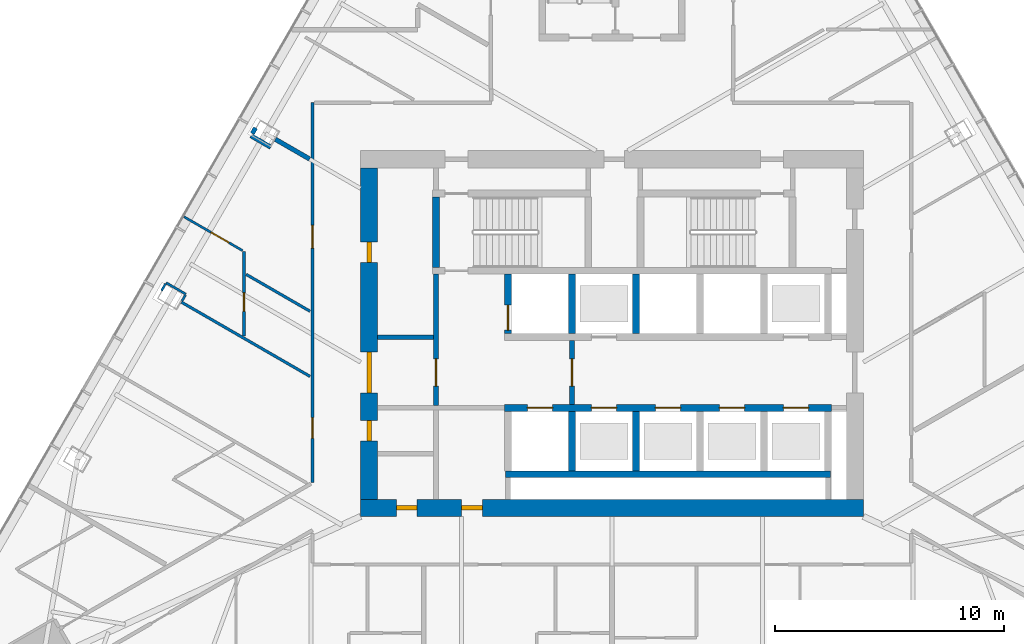
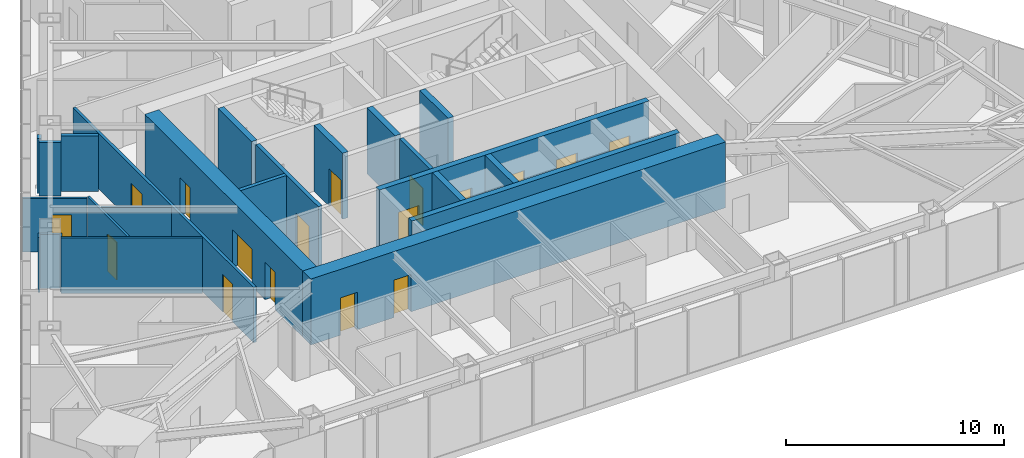
# One storey, part 11 of 16: 24 walls, 17 doors, 17 openings.
"""IFC4 building model written with IfcOpenShell, lengths in metres."""

from ifc_helpers import new_model, si_unit, direction, frame, frame_2d, origin, place, context, subcontext, project, spatial, rectangle, extrude, material, layer, layer_set, type_object, element, fill, save


model = new_model("IFC4")

# Units and contexts
model_context = context("Model", 3, precision=1e-05, world=origin(), true_north=direction((0.0, 1.0)))
body_context = subcontext(model_context, "Body", "Model", "MODEL_VIEW")
ifc_project = project(units=[si_unit("LENGTHUNIT", "METRE"), si_unit("AREAUNIT", "SQUARE_METRE"), si_unit("VOLUMEUNIT", "CUBIC_METRE"), si_unit("PLANEANGLEUNIT", "RADIAN"), si_unit("MASSUNIT", "GRAM", prefix="KILO")], contexts=[model_context])

# Site, building, storey
site_placement = place(None, origin())
site = spatial("IfcSite", under=ifc_project, at=site_placement, CompositionType="ELEMENT")
building_placement = place(site_placement, origin())
building = spatial("IfcBuilding", under=site, at=building_placement, Name="Firuza Gate Tower and Library", CompositionType="ELEMENT")
storey_placement = place(building_placement, frame((0.0, 0.0, 229.89990234375)))
storey = spatial("IfcBuildingStorey", under=building, at=storey_placement, Name="L54", CompositionType="ELEMENT", Elevation=229.89990234375)

# Wall
ifc_material_1 = material(Name="Plasterboard on steel studs", Category="steel")
ifc_layer_1 = layer(ifc_material_1, 0.199951171875)
ifc_layer_set_1 = layer_set([ifc_layer_1], Name="Core partition 200 EI 120")
wall_type_1 = type_object("IfcWallType", Name="Core partition 200 EI 120", PredefinedType="PARTITIONING", material=ifc_layer_set_1)
wall_1_placement = place(storey_placement, frame((64.75, 74.85009765625, 0.0), z_axis=(0.0, 0.0, 1.0), x_axis=(1.0, 0.0, 0.0)))
element("IfcWall", 1, at=wall_1_placement, inside=storey, type_object=wall_type_1, Name="Core partition L54 4", PredefinedType="PARTITIONING", context=body_context, shape_type="SweptSolid", body=[
    extrude(rectangle(XDim=2.449951171875, YDim=0.199951171875, at=frame_2d((1.22509765625, 0.0))), origin(), (0.0, 0.0, 1.0), 3.7001953125),
])

# Wall, opening, door
wall_2_placement = place(storey_placement, frame((67.300048828125, 71.85009765625, 0.0), z_axis=(0.0, 0.0, 1.0), x_axis=(0.0, 1.0, 0.0)))
wall_2 = element("IfcWall", 2, at=wall_2_placement, inside=storey, type_object=wall_type_1, Name="Core partition L54 8", PredefinedType="PARTITIONING", context=body_context, shape_type="SweptSolid", body=[
    extrude(rectangle(XDim=5.75, YDim=0.199951171875, at=frame_2d((2.875, 0.0))), origin(), (0.0, 0.0, 1.0), 3.7001953125),
])
opening_1_placement = place(wall_2_placement, frame((0.85009765625, 0.0, 0.0)))
opening_1 = element("IfcOpeningElement", 3, at=opening_1_placement, cuts=wall_2, Name="Opening L54-K19", PredefinedType="OPENING", context=body_context, shape_type="SweptSolid", body=[
    extrude(rectangle(XDim=1.199951171875, YDim=2.10009765625, at=frame_2d((0.60009765625, 1.050048828125))), frame((0.0, 0.10986328125, 0.0), z_axis=(0.0, -1.0, 0.0), x_axis=(1.0, 0.0, 0.0)), (0.0, 0.0, 1.0), 0.219970703125),
])
ifc_material_2 = material(Name="Steel", Category="steel")
door_type_1 = type_object("IfcDoorType", Name="Fire door 1200x2100 FD90S", OperationType="NOTDEFINED", PredefinedType="DOOR", material=ifc_material_2)
door_1_placement = place(opening_1_placement, origin())
door_1 = element("IfcDoor", 4, at=door_1_placement, inside=storey, type_object=door_type_1, Name="Door L54-K19", OperationType="SINGLE_SWING_RIGHT", OverallHeight=2.10009765625, OverallWidth=1.199951171875, PredefinedType="DOOR", context=body_context, shape_type="SweptSolid", body=[
    extrude(rectangle(XDim=1.199951171875, YDim=2.10009765625, at=frame_2d((0.60009765625, 1.050048828125))), frame((0.0, 0.02490234375, 0.0), z_axis=(0.0, -1.0, 0.0), x_axis=(1.0, 0.0, 0.0)), (0.0, 0.0, 1.0), 0.050048828125),
])
fill(opening_1, door_1)

ifc_material_3 = material(Name="Plasterboard on steel studs", Category="steel")
ifc_layer_2 = layer(ifc_material_3, 0.199951171875)
ifc_layer_set_2 = layer_set([ifc_layer_2], Name="Core partition 200 EI 60")
wall_type_2 = type_object("IfcWallType", Name="Core partition 200 EI 60", PredefinedType="PARTITIONING", material=ifc_layer_set_2)
wall_3_placement = place(storey_placement, frame((73.25, 71.89990234375, 0.0), z_axis=(0.0, 0.0, 1.0), x_axis=(0.0, 1.0, 0.0)))
wall_3 = element("IfcWall", 5, at=wall_3_placement, inside=storey, type_object=wall_type_2, Name="Core partition L54 11", PredefinedType="PARTITIONING", context=body_context, shape_type="SweptSolid", body=[
    extrude(rectangle(XDim=2.800048828125, YDim=0.199951171875, at=frame_2d((1.39990234375, 0.0))), origin(), (0.0, 0.0, 1.0), 3.7001953125),
])
opening_2_placement = place(wall_3_placement, frame((0.800048828125, 0.0, 0.0)))
opening_2 = element("IfcOpeningElement", 6, at=opening_2_placement, cuts=wall_3, Name="Opening L54-K18", PredefinedType="OPENING", context=body_context, shape_type="SweptSolid", body=[
    extrude(rectangle(XDim=1.199951171875, YDim=2.10009765625, at=frame_2d((0.60009765625, 1.050048828125))), frame((0.0, 0.10986328125, 0.0), z_axis=(0.0, -1.0, 0.0), x_axis=(1.0, 0.0, 0.0)), (0.0, 0.0, 1.0), 0.219970703125),
])
door_2_placement = place(opening_2_placement, origin())
door_2 = element("IfcDoor", 7, at=door_2_placement, inside=storey, type_object=door_type_1, Name="Door L54-K18", OperationType="SINGLE_SWING_LEFT", OverallHeight=2.10009765625, OverallWidth=1.199951171875, PredefinedType="DOOR", context=body_context, shape_type="SweptSolid", body=[
    extrude(rectangle(XDim=1.199951171875, YDim=2.10009765625, at=frame_2d((0.60009765625, 1.050048828125))), frame((0.0, 0.02490234375, 0.0), z_axis=(0.0, -1.0, 0.0), x_axis=(1.0, 0.0, 0.0)), (0.0, 0.0, 1.0), 0.050048828125),
])
fill(opening_2, door_2)

# Wall
ifc_material_4 = material(Name="Concrete C80/95", Category="concrete")
ifc_layer_3 = layer(ifc_material_4, 0.300048828125)
ifc_layer_set_3 = layer_set([ifc_layer_3], Name="Core wall 300 C80/95")
wall_type_3 = type_object("IfcWallType", Name="Core wall 300 C80/95", PredefinedType="SHEAR", material=ifc_layer_set_3)
wall_4_placement = place(storey_placement, frame((70.35009765625, 68.85009765625, 0.0), z_axis=(0.0, 0.0, 1.0), x_axis=(1.0, 0.0, 0.0)))
element("IfcWall", 8, at=wall_4_placement, inside=storey, type_object=wall_type_3, Name="Core wall L54 5", PredefinedType="SHEAR", context=body_context, shape_type="SweptSolid", body=[
    extrude(rectangle(XDim=14.199951171875, YDim=0.300048828125, at=frame_2d((7.10009765625, 0.0))), origin(), (0.0, 0.0, 1.0), 3.7001953125),
])

# Wall, openings, doors
wall_5_placement = place(storey_placement, frame((70.300048828125, 71.75, 0.0), z_axis=(0.0, 0.0, 1.0), x_axis=(1.0, 0.0, 0.0)))
wall_5 = element("IfcWall", 9, at=wall_5_placement, inside=storey, type_object=wall_type_3, Name="Core wall L54 6", PredefinedType="SHEAR", context=body_context, shape_type="SweptSolid", body=[
    extrude(rectangle(XDim=14.300048828125, YDim=0.300048828125, at=frame_2d((7.14990234375, 0.0))), origin(), (0.0, 0.0, 1.0), 3.7001953125),
])
opening_3_placement = place(wall_5_placement, frame((1.0, 0.0, 0.0)))
opening_3 = element("IfcOpeningElement", 10, at=opening_3_placement, cuts=wall_5, Name="Opening LD-FF1-L54", PredefinedType="OPENING", context=body_context, shape_type="SweptSolid", body=[
    extrude(rectangle(XDim=1.10009765625, YDim=2.10009765625, at=frame_2d((0.550048828125, 1.050048828125))), frame((0.0, 0.16015625, 0.0), z_axis=(0.0, -1.0, 0.0), x_axis=(1.0, 0.0, 0.0)), (0.0, 0.0, 1.0), 0.320068359375),
])
opening_4_placement = place(wall_5_placement, frame((3.800048828125, 0.0, 0.0)))
opening_4 = element("IfcOpeningElement", 11, at=opening_4_placement, cuts=wall_5, Name="Opening LD-MR1-L54", PredefinedType="OPENING", context=body_context, shape_type="SweptSolid", body=[
    extrude(rectangle(XDim=1.10009765625, YDim=2.10009765625, at=frame_2d((0.550048828125, 1.050048828125))), frame((0.0, 0.16015625, 0.0), z_axis=(0.0, -1.0, 0.0), x_axis=(1.0, 0.0, 0.0)), (0.0, 0.0, 1.0), 0.320068359375),
])
opening_5_placement = place(wall_5_placement, frame((6.60009765625, 0.0, 0.0)))
opening_5 = element("IfcOpeningElement", 12, at=opening_5_placement, cuts=wall_5, Name="Opening LD-MR2-L54", PredefinedType="OPENING", context=body_context, shape_type="SweptSolid", body=[
    extrude(rectangle(XDim=1.10009765625, YDim=2.10009765625, at=frame_2d((0.550048828125, 1.050048828125))), frame((0.0, 0.16015625, 0.0), z_axis=(0.0, -1.0, 0.0), x_axis=(1.0, 0.0, 0.0)), (0.0, 0.0, 1.0), 0.320068359375),
])
opening_6_placement = place(wall_5_placement, frame((9.39990234375, 0.0, 0.0)))
opening_6 = element("IfcOpeningElement", 13, at=opening_6_placement, cuts=wall_5, Name="Opening LD-MR3-L54", PredefinedType="OPENING", context=body_context, shape_type="SweptSolid", body=[
    extrude(rectangle(XDim=1.10009765625, YDim=2.10009765625, at=frame_2d((0.550048828125, 1.050048828125))), frame((0.0, 0.16015625, 0.0), z_axis=(0.0, -1.0, 0.0), x_axis=(1.0, 0.0, 0.0)), (0.0, 0.0, 1.0), 0.320068359375),
])
opening_7_placement = place(wall_5_placement, frame((12.199951171875, 0.0, 0.0)))
opening_7 = element("IfcOpeningElement", 14, at=opening_7_placement, cuts=wall_5, Name="Opening LD-MR5-L54", PredefinedType="OPENING", context=body_context, shape_type="SweptSolid", body=[
    extrude(rectangle(XDim=1.10009765625, YDim=2.10009765625, at=frame_2d((0.550048828125, 1.050048828125))), frame((0.0, 0.16015625, 0.0), z_axis=(0.0, -1.0, 0.0), x_axis=(1.0, 0.0, 0.0)), (0.0, 0.0, 1.0), 0.320068359375),
])
ifc_material_5 = material(Name="Stainless steel", Category="steel")
door_type_2 = type_object("IfcDoorType", Name="Lift landing door 1100x2100", OperationType="DOUBLE_DOOR_SLIDING", PredefinedType="DOOR", material=ifc_material_5)
door_3_placement = place(opening_3_placement, origin())
door_3 = element("IfcDoor", 15, at=door_3_placement, inside=storey, type_object=door_type_2, Name="Landing door FF1 L54", OperationType="DOUBLE_DOOR_SLIDING", OverallHeight=2.10009765625, OverallWidth=1.10009765625, PredefinedType="DOOR", context=body_context, shape_type="SweptSolid", body=[
    extrude(rectangle(XDim=1.10009765625, YDim=2.10009765625, at=frame_2d((0.550048828125, 1.050048828125))), frame((0.0, 0.02490234375, 0.0), z_axis=(0.0, -1.0, 0.0), x_axis=(1.0, 0.0, 0.0)), (0.0, 0.0, 1.0), 0.050048828125),
])
fill(opening_3, door_3)
door_4_placement = place(opening_4_placement, origin())
door_4 = element("IfcDoor", 16, at=door_4_placement, inside=storey, type_object=door_type_2, Name="Landing door MR1 L54", OperationType="DOUBLE_DOOR_SLIDING", OverallHeight=2.10009765625, OverallWidth=1.10009765625, PredefinedType="DOOR", context=body_context, shape_type="SweptSolid", body=[
    extrude(rectangle(XDim=1.10009765625, YDim=2.10009765625, at=frame_2d((0.550048828125, 1.050048828125))), frame((0.0, 0.02490234375, 0.0), z_axis=(0.0, -1.0, 0.0), x_axis=(1.0, 0.0, 0.0)), (0.0, 0.0, 1.0), 0.050048828125),
])
fill(opening_4, door_4)
door_5_placement = place(opening_5_placement, origin())
door_5 = element("IfcDoor", 17, at=door_5_placement, inside=storey, type_object=door_type_2, Name="Landing door MR2 L54", OperationType="DOUBLE_DOOR_SLIDING", OverallHeight=2.10009765625, OverallWidth=1.10009765625, PredefinedType="DOOR", context=body_context, shape_type="SweptSolid", body=[
    extrude(rectangle(XDim=1.10009765625, YDim=2.10009765625, at=frame_2d((0.550048828125, 1.050048828125))), frame((0.0, 0.02490234375, 0.0), z_axis=(0.0, -1.0, 0.0), x_axis=(1.0, 0.0, 0.0)), (0.0, 0.0, 1.0), 0.050048828125),
])
fill(opening_5, door_5)
door_6_placement = place(opening_6_placement, origin())
door_6 = element("IfcDoor", 18, at=door_6_placement, inside=storey, type_object=door_type_2, Name="Landing door MR3 L54", OperationType="DOUBLE_DOOR_SLIDING", OverallHeight=2.10009765625, OverallWidth=1.10009765625, PredefinedType="DOOR", context=body_context, shape_type="SweptSolid", body=[
    extrude(rectangle(XDim=1.10009765625, YDim=2.10009765625, at=frame_2d((0.550048828125, 1.050048828125))), frame((0.0, 0.02490234375, 0.0), z_axis=(0.0, -1.0, 0.0), x_axis=(1.0, 0.0, 0.0)), (0.0, 0.0, 1.0), 0.050048828125),
])
fill(opening_6, door_6)
door_7_placement = place(opening_7_placement, origin())
door_7 = element("IfcDoor", 19, at=door_7_placement, inside=storey, type_object=door_type_2, Name="Landing door MR5 L54", OperationType="DOUBLE_DOOR_SLIDING", OverallHeight=2.10009765625, OverallWidth=1.10009765625, PredefinedType="DOOR", context=body_context, shape_type="SweptSolid", body=[
    extrude(rectangle(XDim=1.10009765625, YDim=2.10009765625, at=frame_2d((0.550048828125, 1.050048828125))), frame((0.0, 0.02490234375, 0.0), z_axis=(0.0, -1.0, 0.0), x_axis=(1.0, 0.0, 0.0)), (0.0, 0.0, 1.0), 0.050048828125),
])
fill(opening_7, door_7)

# Wall, opening, door
wall_6_placement = place(storey_placement, frame((70.449951171875, 75.0, 0.0), z_axis=(0.0, 0.0, 1.0), x_axis=(0.0, 1.0, 0.0)))
wall_6 = element("IfcWall", 20, at=wall_6_placement, inside=storey, type_object=wall_type_3, Name="Core wall L54 9", PredefinedType="SHEAR", context=body_context, shape_type="SweptSolid", body=[
    extrude(rectangle(XDim=2.60009765625, YDim=0.300048828125, at=frame_2d((1.300048828125, 0.0))), origin(), (0.0, 0.0, 1.0), 3.7001953125),
])
opening_8_placement = place(wall_6_placement, frame((0.14990234375, 0.0, 0.0)))
opening_8 = element("IfcOpeningElement", 21, at=opening_8_placement, cuts=wall_6, Name="Opening LD-FF2-L54", PredefinedType="OPENING", context=body_context, shape_type="SweptSolid", body=[
    extrude(rectangle(XDim=1.10009765625, YDim=2.10009765625, at=frame_2d((0.550048828125, 1.050048828125))), frame((0.0, 0.16015625, 0.0), z_axis=(0.0, -1.0, 0.0), x_axis=(1.0, 0.0, 0.0)), (0.0, 0.0, 1.0), 0.320068359375),
])
door_8_placement = place(opening_8_placement, origin())
door_8 = element("IfcDoor", 22, at=door_8_placement, inside=storey, type_object=door_type_2, Name="Landing door FF2 L54", OperationType="DOUBLE_DOOR_SLIDING", OverallHeight=2.10009765625, OverallWidth=1.10009765625, PredefinedType="DOOR", context=body_context, shape_type="SweptSolid", body=[
    extrude(rectangle(XDim=1.10009765625, YDim=2.10009765625, at=frame_2d((0.550048828125, 1.050048828125))), frame((0.0, 0.02490234375, 0.0), z_axis=(0.0, -1.0, 0.0), x_axis=(1.0, 0.0, 0.0)), (0.0, 0.0, 1.0), 0.050048828125),
])
fill(opening_8, door_8)

# Walls
for number, where, z_axis, x_axis, name in (
    (23, (73.25, 69.0, 0.0), (0.0, 0.0, 1.0), (0.0, 1.0, 0.0), "Core wall L54 10"),
    (24, (73.25, 75.0, 0.0), (0.0, 0.0, 1.0), (0.0, 1.0, 0.0), "Core wall L54 11"),
    (25, (76.050048828125, 69.0, 0.0), (0.0, 0.0, 1.0), (0.0, 1.0, 0.0), "Core wall L54 12"),
    (26, (76.050048828125, 75.0, 0.0), (0.0, 0.0, 1.0), (0.0, 1.0, 0.0), "Core wall L54 13"),
):
    element("IfcWall", number, at=place(storey_placement, frame(where, z_axis=z_axis, x_axis=x_axis)), inside=storey, type_object=wall_type_3, Name=name, PredefinedType="SHEAR", context=body_context, shape_type="SweptSolid", body=[
        extrude(rectangle(XDim=2.60009765625, YDim=0.300048828125, at=frame_2d((1.300048828125, 0.0))), origin(), (0.0, 0.0, 1.0), 3.7001953125),
    ])
wall_7_placement = place(storey_placement, frame((67.300048828125, 77.89990234375, 0.0), z_axis=(0.0, 0.0, 1.0), x_axis=(0.0, 1.0, 0.0)))
element("IfcWall", 27, at=wall_7_placement, inside=storey, type_object=wall_type_3, Name="Core wall L54 23", PredefinedType="SHEAR", context=body_context, shape_type="SweptSolid", body=[
    extrude(rectangle(XDim=3.080078125, YDim=0.300048828125, at=frame_2d((1.5400390625, 0.0))), origin(), (0.0, 0.0, 1.0), 3.7001953125),
])

# Wall, openings, doors
ifc_material_6 = material(Name="Concrete C80/95", Category="concrete")
ifc_layer_4 = layer(ifc_material_6, 0.75)
ifc_layer_set_4 = layer_set([ifc_layer_4], Name="Core wall 750 C80/95")
wall_type_4 = type_object("IfcWallType", Name="Core wall 750 C80/95", PredefinedType="SHEAR", material=ifc_layer_set_4)
wall_8_placement = place(storey_placement, frame((64.0, 67.375, 0.0), z_axis=(0.0, 0.0, 1.0), x_axis=(1.0, 0.0, 0.0)))
wall_8 = element("IfcWall", 28, at=wall_8_placement, inside=storey, type_object=wall_type_4, Name="Core wall L54 1", PredefinedType="SHEAR", context=body_context, shape_type="SweptSolid", body=[
    extrude(rectangle(XDim=22.0, YDim=0.75, at=frame_2d((11.0, 0.0))), origin(), (0.0, 0.0, 1.0), 3.7001953125),
])
opening_9_placement = place(wall_8_placement, frame((1.574951171875, 0.0, 0.0)))
opening_9 = element("IfcOpeningElement", 29, at=opening_9_placement, cuts=wall_8, Name="Opening L54-K22", PredefinedType="OPENING", context=body_context, shape_type="SweptSolid", body=[
    extrude(rectangle(XDim=0.89990234375, YDim=2.10009765625, at=frame_2d((0.449951171875, 1.050048828125))), frame((0.0, 0.385009765625, 0.0), z_axis=(0.0, -1.0, 0.0), x_axis=(1.0, 0.0, 0.0)), (0.0, 0.0, 1.0), 0.77001953125),
])
opening_10_placement = place(wall_8_placement, frame((4.425048828125, 0.0, 0.0)))
opening_10 = element("IfcOpeningElement", 30, at=opening_10_placement, cuts=wall_8, Name="Opening L54-K24", PredefinedType="OPENING", context=body_context, shape_type="SweptSolid", body=[
    extrude(rectangle(XDim=0.89990234375, YDim=2.10009765625, at=frame_2d((0.449951171875, 1.050048828125))), frame((0.0, 0.385009765625, 0.0), z_axis=(0.0, -1.0, 0.0), x_axis=(1.0, 0.0, 0.0)), (0.0, 0.0, 1.0), 0.77001953125),
])
ifc_material_7 = material(Name="Steel", Category="steel")
door_type_3 = type_object("IfcDoorType", Name="Fire door 900x2100 FD30S", OperationType="NOTDEFINED", PredefinedType="DOOR", material=ifc_material_7)
door_9_placement = place(opening_9_placement, origin())
door_9 = element("IfcDoor", 31, at=door_9_placement, inside=storey, type_object=door_type_3, Name="Door L54-K22", OperationType="SINGLE_SWING_LEFT", OverallHeight=2.10009765625, OverallWidth=0.89990234375, PredefinedType="DOOR", context=body_context, shape_type="SweptSolid", body=[
    extrude(rectangle(XDim=0.89990234375, YDim=2.10009765625, at=frame_2d((0.449951171875, 1.050048828125))), frame((0.0, 0.094970703125, 0.0), z_axis=(0.0, -1.0, 0.0), x_axis=(1.0, 0.0, 0.0)), (0.0, 0.0, 1.0), 0.18994140625),
])
fill(opening_9, door_9)
door_10_placement = place(opening_10_placement, origin())
door_10 = element("IfcDoor", 32, at=door_10_placement, inside=storey, type_object=door_type_3, Name="Door L54-K24", OperationType="SINGLE_SWING_LEFT", OverallHeight=2.10009765625, OverallWidth=0.89990234375, PredefinedType="DOOR", context=body_context, shape_type="SweptSolid", body=[
    extrude(rectangle(XDim=0.89990234375, YDim=2.10009765625, at=frame_2d((0.449951171875, 1.050048828125))), frame((0.0, 0.094970703125, 0.0), z_axis=(0.0, -1.0, 0.0), x_axis=(1.0, 0.0, 0.0)), (0.0, 0.0, 1.0), 0.18994140625),
])
fill(opening_10, door_10)

wall_9_placement = place(storey_placement, frame((64.375, 67.75, 0.0), z_axis=(0.0, 0.0, 1.0), x_axis=(0.0, 1.0, 0.0)))
wall_9 = element("IfcWall", 33, at=wall_9_placement, inside=storey, type_object=wall_type_4, Name="Core wall L54 3", PredefinedType="SHEAR", context=body_context, shape_type="SweptSolid", body=[
    extrude(rectangle(XDim=14.5, YDim=0.75, at=frame_2d((7.25, 0.0))), origin(), (0.0, 0.0, 1.0), 3.7001953125),
])
opening_11_placement = place(wall_9_placement, frame((4.64990234375, 0.0, 0.0)))
opening_11 = element("IfcOpeningElement", 34, at=opening_11_placement, cuts=wall_9, Name="Opening L54-K20", PredefinedType="OPENING", context=body_context, shape_type="SweptSolid", body=[
    extrude(rectangle(XDim=1.800048828125, YDim=2.10009765625, at=frame_2d((0.89990234375, 1.050048828125))), frame((0.0, 0.385009765625, 0.0), z_axis=(0.0, -1.0, 0.0), x_axis=(1.0, 0.0, 0.0)), (0.0, 0.0, 1.0), 0.77001953125),
])
opening_12_placement = place(wall_9_placement, frame((2.550048828125, 0.0, 0.0)))
opening_12 = element("IfcOpeningElement", 35, at=opening_12_placement, cuts=wall_9, Name="Opening L54-K23", PredefinedType="OPENING", context=body_context, shape_type="SweptSolid", body=[
    extrude(rectangle(XDim=0.89990234375, YDim=2.10009765625, at=frame_2d((0.449951171875, 1.050048828125))), frame((0.0, 0.385009765625, 0.0), z_axis=(0.0, -1.0, 0.0), x_axis=(1.0, 0.0, 0.0)), (0.0, 0.0, 1.0), 0.77001953125),
])
opening_13_placement = place(wall_9_placement, frame((10.35009765625, 0.0, 0.0)))
opening_13 = element("IfcOpeningElement", 36, at=opening_13_placement, cuts=wall_9, Name="Opening L54-K25", PredefinedType="OPENING", context=body_context, shape_type="SweptSolid", body=[
    extrude(rectangle(XDim=0.89990234375, YDim=2.10009765625, at=frame_2d((0.449951171875, 1.050048828125))), frame((0.0, 0.385009765625, 0.0), z_axis=(0.0, -1.0, 0.0), x_axis=(1.0, 0.0, 0.0)), (0.0, 0.0, 1.0), 0.77001953125),
])
ifc_material_8 = material(Name="Steel", Category="steel")
door_type_4 = type_object("IfcDoorType", Name="Fire door 1800x2100 FD30S", OperationType="NOTDEFINED", PredefinedType="DOOR", material=ifc_material_8)
door_11_placement = place(opening_11_placement, origin())
door_11 = element("IfcDoor", 37, at=door_11_placement, inside=storey, type_object=door_type_4, Name="Door L54-K20", OperationType="SINGLE_SWING_LEFT", OverallHeight=2.10009765625, OverallWidth=1.800048828125, PredefinedType="DOOR", context=body_context, shape_type="SweptSolid", body=[
    extrude(rectangle(XDim=1.800048828125, YDim=2.10009765625, at=frame_2d((0.89990234375, 1.050048828125))), frame((0.0, 0.094970703125, 0.0), z_axis=(0.0, -1.0, 0.0), x_axis=(1.0, 0.0, 0.0)), (0.0, 0.0, 1.0), 0.18994140625),
])
fill(opening_11, door_11)
door_12_placement = place(opening_12_placement, origin())
door_12 = element("IfcDoor", 38, at=door_12_placement, inside=storey, type_object=door_type_3, Name="Door L54-K23", OperationType="SINGLE_SWING_RIGHT", OverallHeight=2.10009765625, OverallWidth=0.89990234375, PredefinedType="DOOR", context=body_context, shape_type="SweptSolid", body=[
    extrude(rectangle(XDim=0.89990234375, YDim=2.10009765625, at=frame_2d((0.449951171875, 1.050048828125))), frame((0.0, 0.094970703125, 0.0), z_axis=(0.0, -1.0, 0.0), x_axis=(1.0, 0.0, 0.0)), (0.0, 0.0, 1.0), 0.18994140625),
])
fill(opening_12, door_12)
door_13_placement = place(opening_13_placement, origin())
door_13 = element("IfcDoor", 39, at=door_13_placement, inside=storey, type_object=door_type_3, Name="Door L54-K25", OperationType="SINGLE_SWING_RIGHT", OverallHeight=2.10009765625, OverallWidth=0.89990234375, PredefinedType="DOOR", context=body_context, shape_type="SweptSolid", body=[
    extrude(rectangle(XDim=0.89990234375, YDim=2.10009765625, at=frame_2d((0.449951171875, 1.050048828125))), frame((0.0, 0.094970703125, 0.0), z_axis=(0.0, -1.0, 0.0), x_axis=(1.0, 0.0, 0.0)), (0.0, 0.0, 1.0), 0.18994140625),
])
fill(opening_13, door_13)

ifc_material_9 = material(Name="Gypsum board partition")
ifc_layer_5 = layer(ifc_material_9, 0.14990234375)
ifc_layer_set_5 = layer_set([ifc_layer_5], Name="Corridor wall 150 double board on steel studs")
wall_type_5 = type_object("IfcWallType", Name="Corridor wall 150 double board on steel studs", PredefinedType="PARTITIONING", material=ifc_layer_set_5)
wall_10_placement = place(storey_placement, frame((61.89990234375, 68.47607421875, 0.0), z_axis=(0.0, 0.0, 1.0), x_axis=(0.0, 1.0, 0.0)))
wall_10 = element("IfcWall", 40, at=wall_10_placement, inside=storey, type_object=wall_type_5, Name="f:L54:w066", PredefinedType="PARTITIONING", context=body_context, shape_type="SweptSolid", body=[
    extrude(rectangle(XDim=16.62353515625, YDim=0.14990234375, at=frame_2d((8.311767578125, 0.0))), origin(), (0.0, 0.0, 1.0), 3.10009765625),
])
opening_14_placement = place(wall_10_placement, frame((1.9462890625, 0.0, 0.0)))
opening_14 = element("IfcOpeningElement", 41, at=opening_14_placement, cuts=wall_10, Name="Opening L54-32", PredefinedType="OPENING", context=body_context, shape_type="SweptSolid", body=[
    extrude(rectangle(XDim=0.89990234375, YDim=2.10009765625, at=frame_2d((0.449951171875, 1.050048828125))), frame((0.0, 0.0849609375, 0.0), z_axis=(0.0, -1.0, 0.0), x_axis=(1.0, 0.0, 0.0)), (0.0, 0.0, 1.0), 0.169921875),
])
opening_15_placement = place(wall_10_placement, frame((10.26318359375, 0.0, 0.0)))
opening_15 = element("IfcOpeningElement", 42, at=opening_15_placement, cuts=wall_10, Name="Opening L54-33", PredefinedType="OPENING", context=body_context, shape_type="SweptSolid", body=[
    extrude(rectangle(XDim=1.0, YDim=2.10009765625, at=frame_2d((0.5, 1.050048828125))), frame((0.0, 0.0849609375, 0.0), z_axis=(0.0, -1.0, 0.0), x_axis=(1.0, 0.0, 0.0)), (0.0, 0.0, 1.0), 0.169921875),
])
ifc_material_10 = material(Name="Steel door and timber leaf", Category="steel")
door_type_5 = type_object("IfcDoorType", Name="Fire door 1000 x 2100 steel frame, timber leaf", OperationType="NOTDEFINED", PredefinedType="DOOR", material=ifc_material_10)
door_14_placement = place(opening_15_placement, origin())
door_14 = element("IfcDoor", 43, at=door_14_placement, inside=storey, type_object=door_type_5, Name="f:L54:d033", OperationType="SINGLE_SWING_LEFT", OverallHeight=2.10009765625, OverallWidth=1.0, PredefinedType="DOOR", context=body_context, shape_type="SweptSolid", body=[
    extrude(rectangle(XDim=1.0, YDim=2.10009765625, at=frame_2d((0.5, 1.050048828125))), frame((0.0, 0.02490234375, 0.0), z_axis=(0.0, -1.0, 0.0), x_axis=(1.0, 0.0, 0.0)), (0.0, 0.0, 1.0), 0.050048828125),
])
fill(opening_15, door_14)
ifc_material_11 = material(Name="Steel door and timber leaf", Category="steel")
door_type_6 = type_object("IfcDoorType", Name="Fire door 900 x 2100 steel frame, timber leaf", OperationType="NOTDEFINED", PredefinedType="DOOR", material=ifc_material_11)
door_15_placement = place(opening_14_placement, origin())
door_15 = element("IfcDoor", 44, at=door_15_placement, inside=storey, type_object=door_type_6, Name="f:L54:d032", OperationType="SINGLE_SWING_RIGHT", OverallHeight=2.10009765625, OverallWidth=0.89990234375, PredefinedType="DOOR", context=body_context, shape_type="SweptSolid", body=[
    extrude(rectangle(XDim=0.89990234375, YDim=2.10009765625, at=frame_2d((0.449951171875, 1.050048828125))), frame((0.0, 0.02490234375, 0.0), z_axis=(0.0, -1.0, 0.0), x_axis=(1.0, 0.0, 0.0)), (0.0, 0.0, 1.0), 0.050048828125),
])
fill(opening_14, door_15)

# Walls
ifc_material_12 = material(Name="Gypsum board partition")
ifc_layer_6 = layer(ifc_material_12, 0.199951171875)
ifc_layer_set_6 = layer_set([ifc_layer_6], Name="Demising wall 200 acoustic double stud")
wall_type_6 = type_object("IfcWallType", Name="Demising wall 200 acoustic double stud", PredefinedType="PARTITIONING", material=ifc_layer_set_6)
wall_11_placement = place(storey_placement, frame((59.26318359375, 83.750732421875, 0.0), z_axis=(0.0, 0.0, 1.0), x_axis=(0.499941024108, 0.866059450854, 0.0)))
element("IfcWall", 45, at=wall_11_placement, inside=storey, type_object=wall_type_6, Name="f:L54:w038", PredefinedType="PARTITIONING", context=body_context, shape_type="SweptSolid", body=[
    extrude(rectangle(XDim=0.2900390625, YDim=0.199951171875, at=frame_2d((0.14501953125, 0.0))), origin(), (0.0, 0.0, 1.0), 3.10009765625),
])
wall_12_placement = place(storey_placement, frame((61.773193359375, 82.63671875, 0.0), z_axis=(0.0, 0.0, 1.0), x_axis=(-0.866082241464, 0.499901541327, 0.0)))
element("IfcWall", 46, at=wall_12_placement, inside=storey, type_object=wall_type_6, Name="f:L54:w084", PredefinedType="PARTITIONING", context=body_context, shape_type="SweptSolid", body=[
    extrude(rectangle(XDim=1.730712890625, YDim=0.199951171875, at=frame_2d((0.865234375, 0.0))), origin(), (0.0, 0.0, 1.0), 3.10009765625),
])
wall_13_placement = place(storey_placement, frame((60.07421875, 83.15576171875, 0.0), z_axis=(0.0, 0.0, 1.0), x_axis=(-0.866010750942, 0.50002537861, 0.0)))
element("IfcWall", 47, at=wall_13_placement, inside=storey, type_object=wall_type_6, Name="f:L54:w085", PredefinedType="PARTITIONING", context=body_context, shape_type="SweptSolid", body=[
    extrude(rectangle(XDim=1.0, YDim=0.199951171875, at=frame_2d((0.5, 0.0))), origin(), (0.0, 0.0, 1.0), 3.022216796875),
])
ifc_material_13 = material(Name="Gypsum board partition")
ifc_layer_7 = layer(ifc_material_13, 0.10009765625)
ifc_layer_set_7 = layer_set([ifc_layer_7], Name="Partition 100 gypsum board on steel studs")
wall_type_7 = type_object("IfcWallType", Name="Partition 100 gypsum board on steel studs", PredefinedType="PARTITIONING", material=ifc_layer_set_7)
wall_14_placement = place(storey_placement, frame((56.191650390625, 76.430908203125, 0.0), z_axis=(0.0, 0.0, 1.0), x_axis=(0.500136839105, 0.865946385275, 0.0)))
element("IfcWall", 48, at=wall_14_placement, inside=storey, type_object=wall_type_7, Name="f:L54:w036", PredefinedType="PARTITIONING", context=body_context, shape_type="SweptSolid", body=[
    extrude(rectangle(XDim=0.2890625, YDim=0.10009765625, at=frame_2d((0.14453125, 0.0))), origin(), (0.0, 0.0, 1.0), 3.10009765625),
])
wall_15_placement = place(storey_placement, frame((55.295654296875, 76.87890625, 0.0), z_axis=(0.0, 0.0, 1.0), x_axis=(0.500126092966, 0.865952591736, 0.0)))
element("IfcWall", 49, at=wall_15_placement, inside=storey, type_object=wall_type_7, Name="f:L54:w037", PredefinedType="PARTITIONING", context=body_context, shape_type="SweptSolid", body=[
    extrude(rectangle(XDim=0.34912109375, YDim=0.10009765625, at=frame_2d((0.174560546875, 0.0))), origin(), (0.0, 0.0, 1.0), 3.10009765625),
])

# Wall, opening, door
wall_16_placement = place(storey_placement, frame((58.84033203125, 78.631591796875, 0.0), z_axis=(0.0, 0.0, 1.0), x_axis=(-0.866057572592, 0.49994427785, 0.0)))
wall_16 = element("IfcWall", 50, at=wall_16_placement, inside=storey, type_object=wall_type_7, Name="f:L54:w087", PredefinedType="PARTITIONING", context=body_context, shape_type="SweptSolid", body=[
    extrude(rectangle(XDim=2.953369140625, YDim=0.10009765625, at=frame_2d((1.4765625, 0.0))), origin(), (0.0, 0.0, 1.0), 3.022216796875),
])
opening_16_placement = place(wall_16_placement, frame((0.69677734375, 0.0, 0.0)))
opening_16 = element("IfcOpeningElement", 51, at=opening_16_placement, cuts=wall_16, Name="Opening L54-38", PredefinedType="OPENING", context=body_context, shape_type="SweptSolid", body=[
    extrude(rectangle(XDim=0.89990234375, YDim=2.10009765625, at=frame_2d((0.449951171875, 1.050048828125))), frame((0.0, 0.06005859375, 0.0), z_axis=(0.0, -1.0, 0.0), x_axis=(1.0, 0.0, 0.0)), (0.0, 0.0, 1.0), 0.1201171875),
])
ifc_material_14 = material(Name="Timber door", Category="wood")
door_type_7 = type_object("IfcDoorType", Name="Door 900 x 2100 timber leaf", OperationType="NOTDEFINED", PredefinedType="DOOR", material=ifc_material_14)
door_16_placement = place(opening_16_placement, origin())
door_16 = element("IfcDoor", 52, at=door_16_placement, inside=storey, type_object=door_type_7, Name="f:L54:d038", OperationType="SINGLE_SWING_RIGHT", OverallHeight=2.10009765625, OverallWidth=0.89990234375, PredefinedType="DOOR", context=body_context, shape_type="SweptSolid", body=[
    extrude(rectangle(XDim=0.89990234375, YDim=2.10009765625, at=frame_2d((0.449951171875, 1.050048828125))), frame((0.0, 0.02490234375, 0.0), z_axis=(0.0, -1.0, 0.0), x_axis=(1.0, 0.0, 0.0)), (0.0, 0.0, 1.0), 0.050048828125),
])
fill(opening_16, door_16)

# Wall
wall_17_placement = place(storey_placement, frame((56.36083984375, 76.724853515625, 0.0), z_axis=(0.0, 0.0, 1.0), x_axis=(-0.866039090965, 0.499976292358, 0.0)))
element("IfcWall", 53, at=wall_17_placement, inside=storey, type_object=wall_type_7, Name="f:L54:w089", PredefinedType="PARTITIONING", context=body_context, shape_type="SweptSolid", body=[
    extrude(rectangle(XDim=0.9990234375, YDim=0.10009765625, at=frame_2d((0.49951171875, 0.0))), origin(), (0.0, 0.0, 1.0), 3.022216796875),
])

# Wall, opening, door
ifc_material_15 = material(Name="Gypsum board partition")
ifc_layer_8 = layer(ifc_material_15, 0.1201171875)
ifc_layer_set_8 = layer_set([ifc_layer_8], Name="Wet-area partition 120 moisture-resistant board")
wall_type_8 = type_object("IfcWallType", Name="Wet-area partition 120 moisture-resistant board", PredefinedType="PARTITIONING", material=ifc_layer_set_8)
wall_18_placement = place(storey_placement, frame((58.89990234375, 78.596435546875, 0.0), z_axis=(0.0, 0.0, 1.0), x_axis=(0.0, -1.0, 0.0)))
wall_18 = element("IfcWall", 54, at=wall_18_placement, inside=storey, type_object=wall_type_8, Name="f:L54:w068", PredefinedType="PARTITIONING", context=body_context, shape_type="SweptSolid", body=[
    extrude(rectangle(XDim=3.68994140625, YDim=0.1201171875, at=frame_2d((1.844970703125, 0.0))), origin(), (0.0, 0.0, 1.0), 3.10009765625),
])
opening_17_placement = place(wall_18_placement, frame((1.81982421875, 0.0, 0.0)))
opening_17 = element("IfcOpeningElement", 55, at=opening_17_placement, cuts=wall_18, Name="Opening L54-34", PredefinedType="OPENING", context=body_context, shape_type="SweptSolid", body=[
    extrude(rectangle(XDim=0.800048828125, YDim=2.10009765625, at=frame_2d((0.39990234375, 1.050048828125))), frame((0.0, 0.070068359375, 0.0), z_axis=(0.0, -1.0, 0.0), x_axis=(1.0, 0.0, 0.0)), (0.0, 0.0, 1.0), 0.14013671875),
])
ifc_material_16 = material(Name="Timber door", Category="wood")
door_type_8 = type_object("IfcDoorType", Name="Door 800 x 2100 timber leaf", OperationType="NOTDEFINED", PredefinedType="DOOR", material=ifc_material_16)
door_17_placement = place(opening_17_placement, origin())
door_17 = element("IfcDoor", 56, at=door_17_placement, inside=storey, type_object=door_type_8, Name="f:L54:d034", OperationType="SINGLE_SWING_RIGHT", OverallHeight=2.10009765625, OverallWidth=0.800048828125, PredefinedType="DOOR", context=body_context, shape_type="SweptSolid", body=[
    extrude(rectangle(XDim=0.800048828125, YDim=2.10009765625, at=frame_2d((0.39990234375, 1.050048828125))), frame((0.0, 0.02490234375, 0.0), z_axis=(0.0, -1.0, 0.0), x_axis=(1.0, 0.0, 0.0)), (0.0, 0.0, 1.0), 0.050048828125),
])
fill(opening_17, door_17)

# Walls
wall_19_placement = place(storey_placement, frame((61.790283203125, 75.97802734375, 0.0), z_axis=(0.0, 0.0, 1.0), x_axis=(-0.866033195618, 0.499986503906, 0.0)))
element("IfcWall", 57, at=wall_19_placement, inside=storey, type_object=wall_type_8, Name="f:L54:w088", PredefinedType="PARTITIONING", context=body_context, shape_type="SweptSolid", body=[
    extrude(rectangle(XDim=3.22802734375, YDim=0.1201171875, at=frame_2d((1.614013671875, 0.0))), origin(), (0.0, 0.0, 1.0), 3.10009765625),
])
wall_20_placement = place(storey_placement, frame((61.790283203125, 73.128173828125, 0.0), z_axis=(0.0, 0.0, 1.0), x_axis=(-0.866022320763, 0.500005339912, 0.0)))
element("IfcWall", 58, at=wall_20_placement, inside=storey, type_object=wall_type_8, Name="f:L54:w090", PredefinedType="PARTITIONING", context=body_context, shape_type="SweptSolid", body=[
    extrude(rectangle(XDim=6.49951171875, YDim=0.1201171875, at=frame_2d((3.249755859375, 0.0))), origin(), (0.0, 0.0, 1.0), 3.10009765625),
])

save(model, "model.ifc")
